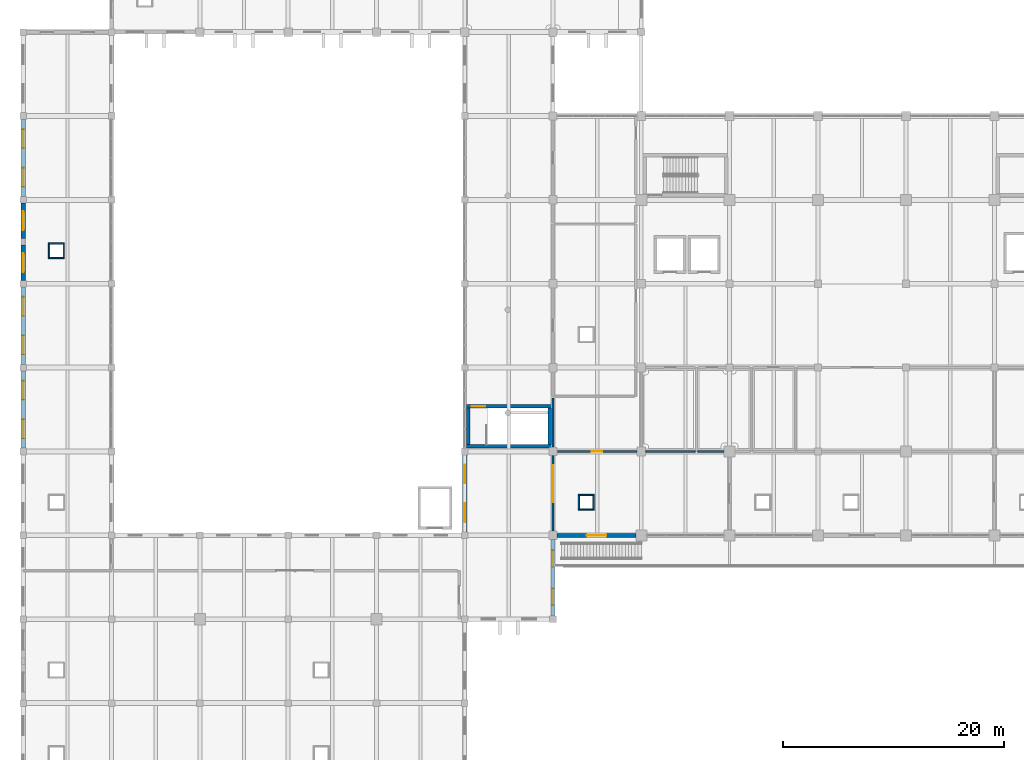
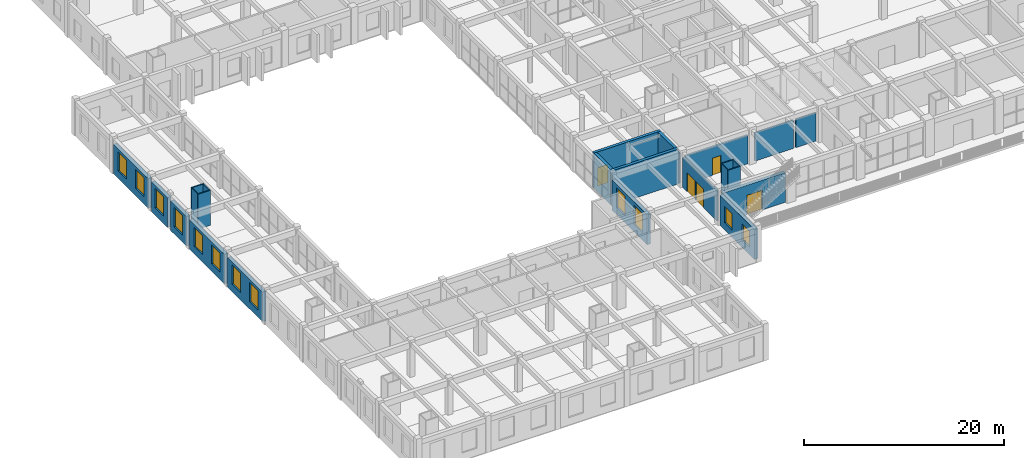
# One storey, part 53 of 79: 25 walls, 12 windows, 5 doors, 17 openings.
"""IFC4 building model written with IfcOpenShell, lengths in metres."""

from ifc_helpers import new_model, si_unit, direction, frame, frame_2d, origin, place, context, subcontext, project, spatial, rectangle, extrude, material, layer, layer_set, type_object, element, fill, save


model = new_model("IFC4")

# Units and contexts
model_context = context("Model", 3, precision=1e-05, world=origin(), true_north=direction((0.0, 1.0)))
body_context = subcontext(model_context, "Body", "Model", "MODEL_VIEW")
ifc_project = project(units=[si_unit("LENGTHUNIT", "METRE"), si_unit("AREAUNIT", "SQUARE_METRE"), si_unit("VOLUMEUNIT", "CUBIC_METRE"), si_unit("PLANEANGLEUNIT", "RADIAN"), si_unit("MASSUNIT", "GRAM", prefix="KILO")], contexts=[model_context])

# Site, building, storey
site_placement = place(None, origin())
site = spatial("IfcSite", under=ifc_project, at=site_placement, CompositionType="ELEMENT")
building_placement = place(site_placement, origin())
building = spatial("IfcBuilding", under=site, at=building_placement, Name="Zantavel Square City Hall", CompositionType="ELEMENT")
storey_placement = place(building_placement, frame((0.0, 0.0, 10.199951171875)))
storey = spatial("IfcBuildingStorey", under=building, at=storey_placement, Name="L03", CompositionType="ELEMENT", Elevation=10.199951171875)

# Wall, openings, windows
ifc_material_1 = material(Name="Cantera volcanic tuff stone", Category="masonry")
ifc_layer_1 = layer(ifc_material_1, 0.39990234375, Name="Cantera volcanic tuff stone")
ifc_layer_set_1 = layer_set([ifc_layer_1], Name="Cantera volcanic tuff stone")
wall_type_1 = type_object("IfcWallType", Name="Civic Pavilion Cantera Ashlar Wall 400mm", PredefinedType="STANDARD", material=ifc_layer_set_1)
wall_1_placement = place(storey_placement, frame((56.0, 30.02490234375, 0.0), z_axis=(0.0, 0.0, 1.0), x_axis=(0.0, -1.0, 0.0)))
wall_1 = element("IfcWall", 1, at=wall_1_placement, inside=storey, type_object=wall_type_1, Name="L03 Exterior Wall EW-L03-042", PredefinedType="STANDARD", context=body_context, shape_type="SweptSolid", body=[
    extrude(rectangle(XDim=6.9248046875, YDim=0.39990234375, at=frame_2d((3.46240234375, 0.0))), origin(), (0.0, 0.0, 1.0), 3.670166015625),
])
opening_1_placement = place(wall_1_placement, frame((0.981201171875, 0.0, 0.89990234375)))
opening_1 = element("IfcOpeningElement", 2, at=opening_1_placement, cuts=wall_1, Name="Opening W-324", PredefinedType="OPENING", context=body_context, shape_type="SweptSolid", body=[
    extrude(rectangle(XDim=1.5, YDim=2.0, at=frame_2d((0.75, 1.0))), frame((0.0, 0.2099609375, 0.0), z_axis=(0.0, -1.0, 0.0), x_axis=(1.0, 0.0, 0.0)), (0.0, 0.0, 1.0), 0.419921875),
])
opening_2_placement = place(wall_1_placement, frame((4.443603515625, 0.0, 0.89990234375)))
opening_2 = element("IfcOpeningElement", 3, at=opening_2_placement, cuts=wall_1, Name="Opening W-325", PredefinedType="OPENING", context=body_context, shape_type="SweptSolid", body=[
    extrude(rectangle(XDim=1.5, YDim=2.0, at=frame_2d((0.75, 1.0))), frame((0.0, 0.2099609375, 0.0), z_axis=(0.0, -1.0, 0.0), x_axis=(1.0, 0.0, 0.0)), (0.0, 0.0, 1.0), 0.419921875),
])
ifc_material_2 = material(Name="Tempered safety glass low-E double glazing", Category="glass")
window_type_1 = type_object("IfcWindowType", Name="Window Planning Studio 1500x2000", PartitioningType="DOUBLE_PANEL_VERTICAL", PredefinedType="WINDOW", material=ifc_material_2)
window_1_placement = place(opening_1_placement, origin())
window_1 = element("IfcWindow", 4, at=window_1_placement, inside=storey, type_object=window_type_1, Name="L03 Window W-324", OverallHeight=2.0, OverallWidth=1.5, PartitioningType="DOUBLE_PANEL_VERTICAL", PredefinedType="WINDOW", context=body_context, shape_type="SweptSolid", body=[
    extrude(rectangle(XDim=1.5, YDim=2.0, at=frame_2d((0.75, 1.0))), frame((0.0, 0.030029296875, 0.0), z_axis=(0.0, -1.0, 0.0), x_axis=(1.0, 0.0, 0.0)), (0.0, 0.0, 1.0), 0.06005859375),
])
fill(opening_1, window_1)
window_2_placement = place(opening_2_placement, origin())
window_2 = element("IfcWindow", 5, at=window_2_placement, inside=storey, type_object=window_type_1, Name="L03 Window W-325", OverallHeight=2.0, OverallWidth=1.5, PartitioningType="DOUBLE_PANEL_VERTICAL", PredefinedType="WINDOW", context=body_context, shape_type="SweptSolid", body=[
    extrude(rectangle(XDim=1.5, YDim=2.0, at=frame_2d((0.75, 1.0))), frame((0.0, 0.030029296875, 0.0), z_axis=(0.0, -1.0, 0.0), x_axis=(1.0, 0.0, 0.0)), (0.0, 0.0, 1.0), 0.06005859375),
])
fill(opening_2, window_2)

wall_2_placement = place(storey_placement, frame((8.0, 38.300048828125, 0.0), z_axis=(0.0, 0.0, 1.0), x_axis=(0.0, 1.0, 0.0)))
wall_2 = element("IfcWall", 6, at=wall_2_placement, inside=storey, type_object=wall_type_1, Name="L03 Exterior Wall EW-L03-056", PredefinedType="STANDARD", context=body_context, shape_type="SweptSolid", body=[
    extrude(rectangle(XDim=7.0, YDim=0.39990234375, at=frame_2d((3.5, 0.0))), origin(), (0.0, 0.0, 1.0), 3.6201171875),
])
opening_3_placement = place(wall_2_placement, frame((0.89990234375, 0.0, 0.89990234375)))
opening_3 = element("IfcOpeningElement", 7, at=opening_3_placement, cuts=wall_2, Name="Opening W-350", PredefinedType="OPENING", context=body_context, shape_type="SweptSolid", body=[
    extrude(rectangle(XDim=1.699951171875, YDim=2.35009765625, at=frame_2d((0.85009765625, 1.175048828125))), frame((0.0, 0.2099609375, 0.0), z_axis=(0.0, -1.0, 0.0), x_axis=(1.0, 0.0, 0.0)), (0.0, 0.0, 1.0), 0.419921875),
])
opening_4_placement = place(wall_2_placement, frame((4.39990234375, 0.0, 0.89990234375)))
opening_4 = element("IfcOpeningElement", 8, at=opening_4_placement, cuts=wall_2, Name="Opening W-351", PredefinedType="OPENING", context=body_context, shape_type="SweptSolid", body=[
    extrude(rectangle(XDim=1.699951171875, YDim=2.35009765625, at=frame_2d((0.85009765625, 1.175048828125))), frame((0.0, 0.2099609375, 0.0), z_axis=(0.0, -1.0, 0.0), x_axis=(1.0, 0.0, 0.0)), (0.0, 0.0, 1.0), 0.419921875),
])
window_type_2 = type_object("IfcWindowType", Name="Window Library Reading Tall 1700x2350", PartitioningType="DOUBLE_PANEL_VERTICAL", PredefinedType="WINDOW", material=ifc_material_2)
window_3_placement = place(opening_3_placement, origin())
window_3 = element("IfcWindow", 9, at=window_3_placement, inside=storey, type_object=window_type_2, Name="L03 Window W-350", OverallHeight=2.35009765625, OverallWidth=1.699951171875, PartitioningType="DOUBLE_PANEL_VERTICAL", PredefinedType="WINDOW", context=body_context, shape_type="SweptSolid", body=[
    extrude(rectangle(XDim=1.699951171875, YDim=2.35009765625, at=frame_2d((0.85009765625, 1.175048828125))), frame((0.0, 0.030029296875, 0.0), z_axis=(0.0, -1.0, 0.0), x_axis=(1.0, 0.0, 0.0)), (0.0, 0.0, 1.0), 0.06005859375),
])
fill(opening_3, window_3)
window_4_placement = place(opening_4_placement, origin())
window_4 = element("IfcWindow", 10, at=window_4_placement, inside=storey, type_object=window_type_2, Name="L03 Window W-351", OverallHeight=2.35009765625, OverallWidth=1.699951171875, PartitioningType="DOUBLE_PANEL_VERTICAL", PredefinedType="WINDOW", context=body_context, shape_type="SweptSolid", body=[
    extrude(rectangle(XDim=1.699951171875, YDim=2.35009765625, at=frame_2d((0.85009765625, 1.175048828125))), frame((0.0, 0.030029296875, 0.0), z_axis=(0.0, -1.0, 0.0), x_axis=(1.0, 0.0, 0.0)), (0.0, 0.0, 1.0), 0.06005859375),
])
fill(opening_4, window_4)

wall_3_placement = place(storey_placement, frame((8.0, 45.89990234375, 0.0), z_axis=(0.0, 0.0, 1.0), x_axis=(0.0, 1.0, 0.0)))
wall_3 = element("IfcWall", 11, at=wall_3_placement, inside=storey, type_object=wall_type_1, Name="L03 Exterior Wall EW-L03-057", PredefinedType="STANDARD", context=body_context, shape_type="SweptSolid", body=[
    extrude(rectangle(XDim=7.0, YDim=0.39990234375, at=frame_2d((3.5, 0.0))), origin(), (0.0, 0.0, 1.0), 3.6201171875),
])
opening_5_placement = place(wall_3_placement, frame((0.89990234375, 0.0, 0.89990234375)))
opening_5 = element("IfcOpeningElement", 12, at=opening_5_placement, cuts=wall_3, Name="Opening W-352", PredefinedType="OPENING", context=body_context, shape_type="SweptSolid", body=[
    extrude(rectangle(XDim=1.699951171875, YDim=2.35009765625, at=frame_2d((0.85009765625, 1.175048828125))), frame((0.0, 0.2099609375, 0.0), z_axis=(0.0, -1.0, 0.0), x_axis=(1.0, 0.0, 0.0)), (0.0, 0.0, 1.0), 0.419921875),
])
opening_6_placement = place(wall_3_placement, frame((4.39990234375, 0.0, 0.89990234375)))
opening_6 = element("IfcOpeningElement", 13, at=opening_6_placement, cuts=wall_3, Name="Opening W-353", PredefinedType="OPENING", context=body_context, shape_type="SweptSolid", body=[
    extrude(rectangle(XDim=1.699951171875, YDim=2.35009765625, at=frame_2d((0.85009765625, 1.175048828125))), frame((0.0, 0.2099609375, 0.0), z_axis=(0.0, -1.0, 0.0), x_axis=(1.0, 0.0, 0.0)), (0.0, 0.0, 1.0), 0.419921875),
])
window_5_placement = place(opening_5_placement, origin())
window_5 = element("IfcWindow", 14, at=window_5_placement, inside=storey, type_object=window_type_2, Name="L03 Window W-352", OverallHeight=2.35009765625, OverallWidth=1.699951171875, PartitioningType="DOUBLE_PANEL_VERTICAL", PredefinedType="WINDOW", context=body_context, shape_type="SweptSolid", body=[
    extrude(rectangle(XDim=1.699951171875, YDim=2.35009765625, at=frame_2d((0.85009765625, 1.175048828125))), frame((0.0, 0.030029296875, 0.0), z_axis=(0.0, -1.0, 0.0), x_axis=(1.0, 0.0, 0.0)), (0.0, 0.0, 1.0), 0.06005859375),
])
fill(opening_5, window_5)
window_6_placement = place(opening_6_placement, origin())
window_6 = element("IfcWindow", 15, at=window_6_placement, inside=storey, type_object=window_type_2, Name="L03 Window W-353", OverallHeight=2.35009765625, OverallWidth=1.699951171875, PartitioningType="DOUBLE_PANEL_VERTICAL", PredefinedType="WINDOW", context=body_context, shape_type="SweptSolid", body=[
    extrude(rectangle(XDim=1.699951171875, YDim=2.35009765625, at=frame_2d((0.85009765625, 1.175048828125))), frame((0.0, 0.030029296875, 0.0), z_axis=(0.0, -1.0, 0.0), x_axis=(1.0, 0.0, 0.0)), (0.0, 0.0, 1.0), 0.06005859375),
])
fill(opening_6, window_6)

# Wall, opening, window
wall_4_placement = place(storey_placement, frame((8.0, 53.5, 0.0), z_axis=(0.0, 0.0, 1.0), x_axis=(0.0, 1.0, 0.0)))
wall_4 = element("IfcWall", 16, at=wall_4_placement, inside=storey, type_object=wall_type_1, Name="L03 Exterior Wall EW-L03-058", PredefinedType="STANDARD", context=body_context, shape_type="SweptSolid", body=[
    extrude(rectangle(XDim=3.199951171875, YDim=0.39990234375, at=frame_2d((1.60009765625, 0.0))), origin(), (0.0, 0.0, 1.0), 3.6201171875),
])
opening_7_placement = place(wall_4_placement, frame((0.75, 0.0, 0.89990234375)))
opening_7 = element("IfcOpeningElement", 17, at=opening_7_placement, cuts=wall_4, Name="Opening W-354", PredefinedType="OPENING", context=body_context, shape_type="SweptSolid", body=[
    extrude(rectangle(XDim=1.699951171875, YDim=2.35009765625, at=frame_2d((0.85009765625, 1.175048828125))), frame((0.0, 0.2099609375, 0.0), z_axis=(0.0, -1.0, 0.0), x_axis=(1.0, 0.0, 0.0)), (0.0, 0.0, 1.0), 0.419921875),
])
window_7_placement = place(opening_7_placement, origin())
window_7 = element("IfcWindow", 18, at=window_7_placement, inside=storey, type_object=window_type_2, Name="L03 Window W-354", OverallHeight=2.35009765625, OverallWidth=1.699951171875, PartitioningType="DOUBLE_PANEL_VERTICAL", PredefinedType="WINDOW", context=body_context, shape_type="SweptSolid", body=[
    extrude(rectangle(XDim=1.699951171875, YDim=2.35009765625, at=frame_2d((0.85009765625, 1.175048828125))), frame((0.0, 0.030029296875, 0.0), z_axis=(0.0, -1.0, 0.0), x_axis=(1.0, 0.0, 0.0)), (0.0, 0.0, 1.0), 0.06005859375),
])
fill(opening_7, window_7)

wall_5_placement = place(storey_placement, frame((8.0, 57.300048828125, 0.0), z_axis=(0.0, 0.0, 1.0), x_axis=(0.0, 1.0, 0.0)))
wall_5 = element("IfcWall", 19, at=wall_5_placement, inside=storey, type_object=wall_type_1, Name="L03 Exterior Wall EW-L03-059", PredefinedType="STANDARD", context=body_context, shape_type="SweptSolid", body=[
    extrude(rectangle(XDim=3.199951171875, YDim=0.39990234375, at=frame_2d((1.60009765625, 0.0))), origin(), (0.0, 0.0, 1.0), 3.6201171875),
])
opening_8_placement = place(wall_5_placement, frame((0.75, 0.0, 0.89990234375)))
opening_8 = element("IfcOpeningElement", 20, at=opening_8_placement, cuts=wall_5, Name="Opening W-355", PredefinedType="OPENING", context=body_context, shape_type="SweptSolid", body=[
    extrude(rectangle(XDim=1.699951171875, YDim=2.35009765625, at=frame_2d((0.85009765625, 1.175048828125))), frame((0.0, 0.2099609375, 0.0), z_axis=(0.0, -1.0, 0.0), x_axis=(1.0, 0.0, 0.0)), (0.0, 0.0, 1.0), 0.419921875),
])
window_8_placement = place(opening_8_placement, origin())
window_8 = element("IfcWindow", 21, at=window_8_placement, inside=storey, type_object=window_type_2, Name="L03 Window W-355", OverallHeight=2.35009765625, OverallWidth=1.699951171875, PartitioningType="DOUBLE_PANEL_VERTICAL", PredefinedType="WINDOW", context=body_context, shape_type="SweptSolid", body=[
    extrude(rectangle(XDim=1.699951171875, YDim=2.35009765625, at=frame_2d((0.85009765625, 1.175048828125))), frame((0.0, 0.030029296875, 0.0), z_axis=(0.0, -1.0, 0.0), x_axis=(1.0, 0.0, 0.0)), (0.0, 0.0, 1.0), 0.06005859375),
])
fill(opening_8, window_8)

# Wall, openings, windows
wall_6_placement = place(storey_placement, frame((8.0, 61.10009765625, 0.0), z_axis=(0.0, 0.0, 1.0), x_axis=(0.0, 1.0, 0.0)))
wall_6 = element("IfcWall", 22, at=wall_6_placement, inside=storey, type_object=wall_type_1, Name="L03 Exterior Wall EW-L03-060", PredefinedType="STANDARD", context=body_context, shape_type="SweptSolid", body=[
    extrude(rectangle(XDim=7.0, YDim=0.39990234375, at=frame_2d((3.5, 0.0))), origin(), (0.0, 0.0, 1.0), 3.6201171875),
])
opening_9_placement = place(wall_6_placement, frame((0.89990234375, 0.0, 0.89990234375)))
opening_9 = element("IfcOpeningElement", 23, at=opening_9_placement, cuts=wall_6, Name="Opening W-356", PredefinedType="OPENING", context=body_context, shape_type="SweptSolid", body=[
    extrude(rectangle(XDim=1.699951171875, YDim=2.35009765625, at=frame_2d((0.85009765625, 1.175048828125))), frame((0.0, 0.2099609375, 0.0), z_axis=(0.0, -1.0, 0.0), x_axis=(1.0, 0.0, 0.0)), (0.0, 0.0, 1.0), 0.419921875),
])
opening_10_placement = place(wall_6_placement, frame((4.39990234375, 0.0, 0.89990234375)))
opening_10 = element("IfcOpeningElement", 24, at=opening_10_placement, cuts=wall_6, Name="Opening W-357", PredefinedType="OPENING", context=body_context, shape_type="SweptSolid", body=[
    extrude(rectangle(XDim=1.699951171875, YDim=2.35009765625, at=frame_2d((0.85009765625, 1.175048828125))), frame((0.0, 0.2099609375, 0.0), z_axis=(0.0, -1.0, 0.0), x_axis=(1.0, 0.0, 0.0)), (0.0, 0.0, 1.0), 0.419921875),
])
window_9_placement = place(opening_9_placement, origin())
window_9 = element("IfcWindow", 25, at=window_9_placement, inside=storey, type_object=window_type_2, Name="L03 Window W-356", OverallHeight=2.35009765625, OverallWidth=1.699951171875, PartitioningType="DOUBLE_PANEL_VERTICAL", PredefinedType="WINDOW", context=body_context, shape_type="SweptSolid", body=[
    extrude(rectangle(XDim=1.699951171875, YDim=2.35009765625, at=frame_2d((0.85009765625, 1.175048828125))), frame((0.0, 0.030029296875, 0.0), z_axis=(0.0, -1.0, 0.0), x_axis=(1.0, 0.0, 0.0)), (0.0, 0.0, 1.0), 0.06005859375),
])
fill(opening_9, window_9)
window_10_placement = place(opening_10_placement, origin())
window_10 = element("IfcWindow", 26, at=window_10_placement, inside=storey, type_object=window_type_2, Name="L03 Window W-357", OverallHeight=2.35009765625, OverallWidth=1.699951171875, PartitioningType="DOUBLE_PANEL_VERTICAL", PredefinedType="WINDOW", context=body_context, shape_type="SweptSolid", body=[
    extrude(rectangle(XDim=1.699951171875, YDim=2.35009765625, at=frame_2d((0.85009765625, 1.175048828125))), frame((0.0, 0.030029296875, 0.0), z_axis=(0.0, -1.0, 0.0), x_axis=(1.0, 0.0, 0.0)), (0.0, 0.0, 1.0), 0.06005859375),
])
fill(opening_10, window_10)

wall_7_placement = place(storey_placement, frame((48.0, 30.699951171875, 0.0), z_axis=(0.0, 0.0, 1.0), x_axis=(0.0, 1.0, 0.0)))
wall_7 = element("IfcWall", 27, at=wall_7_placement, inside=storey, type_object=wall_type_1, Name="L03 Exterior Wall EW-L03-069", PredefinedType="STANDARD", context=body_context, shape_type="SweptSolid", body=[
    extrude(rectangle(XDim=7.0, YDim=0.39990234375, at=frame_2d((3.5, 0.0))), origin(), (0.0, 0.0, 1.0), 3.670166015625),
])
opening_11_placement = place(wall_7_placement, frame((0.89990234375, 0.0, 0.89990234375)))
opening_11 = element("IfcOpeningElement", 28, at=opening_11_placement, cuts=wall_7, Name="Opening W-370", PredefinedType="OPENING", context=body_context, shape_type="SweptSolid", body=[
    extrude(rectangle(XDim=1.699951171875, YDim=2.35009765625, at=frame_2d((0.85009765625, 1.175048828125))), frame((0.0, 0.2099609375, 0.0), z_axis=(0.0, -1.0, 0.0), x_axis=(1.0, 0.0, 0.0)), (0.0, 0.0, 1.0), 0.419921875),
])
opening_12_placement = place(wall_7_placement, frame((4.39990234375, 0.0, 0.89990234375)))
opening_12 = element("IfcOpeningElement", 29, at=opening_12_placement, cuts=wall_7, Name="Opening W-371", PredefinedType="OPENING", context=body_context, shape_type="SweptSolid", body=[
    extrude(rectangle(XDim=1.699951171875, YDim=2.35009765625, at=frame_2d((0.85009765625, 1.175048828125))), frame((0.0, 0.2099609375, 0.0), z_axis=(0.0, -1.0, 0.0), x_axis=(1.0, 0.0, 0.0)), (0.0, 0.0, 1.0), 0.419921875),
])
window_11_placement = place(opening_11_placement, origin())
window_11 = element("IfcWindow", 30, at=window_11_placement, inside=storey, type_object=window_type_2, Name="L03 Window W-370", OverallHeight=2.35009765625, OverallWidth=1.699951171875, PartitioningType="DOUBLE_PANEL_VERTICAL", PredefinedType="WINDOW", context=body_context, shape_type="SweptSolid", body=[
    extrude(rectangle(XDim=1.699951171875, YDim=2.35009765625, at=frame_2d((0.85009765625, 1.175048828125))), frame((0.0, 0.030029296875, 0.0), z_axis=(0.0, -1.0, 0.0), x_axis=(1.0, 0.0, 0.0)), (0.0, 0.0, 1.0), 0.06005859375),
])
fill(opening_11, window_11)
window_12_placement = place(opening_12_placement, origin())
window_12 = element("IfcWindow", 31, at=window_12_placement, inside=storey, type_object=window_type_2, Name="L03 Window W-371", OverallHeight=2.35009765625, OverallWidth=1.699951171875, PartitioningType="DOUBLE_PANEL_VERTICAL", PredefinedType="WINDOW", context=body_context, shape_type="SweptSolid", body=[
    extrude(rectangle(XDim=1.699951171875, YDim=2.35009765625, at=frame_2d((0.85009765625, 1.175048828125))), frame((0.0, 0.030029296875, 0.0), z_axis=(0.0, -1.0, 0.0), x_axis=(1.0, 0.0, 0.0)), (0.0, 0.0, 1.0), 0.06005859375),
])
fill(opening_12, window_12)

# Walls
ifc_material_3 = material(Name="Concrete C40/50", Category="concrete")
ifc_layer_2 = layer(ifc_material_3, 0.320068359375, Name="Concrete C40/50")
ifc_layer_set_2 = layer_set([ifc_layer_2], Name="Concrete C40/50")
wall_type_2 = type_object("IfcWallType", Name="Core Shear Wall RC 320mm C40/50", PredefinedType="SHEAR", material=ifc_layer_set_2)
wall_8_placement = place(storey_placement, frame((55.85009765625, 38.489990234375, 0.0), z_axis=(0.0, 0.0, 1.0), x_axis=(-1.0, 0.0, 0.0)))
element("IfcWall", 32, at=wall_8_placement, inside=storey, type_object=wall_type_2, Name="L03 Exit Stair 3 West Pavilion Core Shear Wall South", PredefinedType="SHEAR", context=body_context, shape_type="SweptSolid", body=[
    extrude(rectangle(XDim=7.7001953125, YDim=0.320068359375, at=frame_2d((3.85009765625, 0.0))), origin(), (0.0, 0.0, 1.0), 4.260009765625),
])
wall_9_placement = place(storey_placement, frame((48.31005859375, 38.64990234375, 0.0), z_axis=(0.0, 0.0, 1.0), x_axis=(0.0, 1.0, 0.0)))
element("IfcWall", 33, at=wall_9_placement, inside=storey, type_object=wall_type_2, Name="L03 Exit Stair 3 West Pavilion Core Shear Wall West", PredefinedType="SHEAR", context=body_context, shape_type="SweptSolid", body=[
    extrude(rectangle(XDim=3.27001953125, YDim=0.320068359375, at=frame_2d((1.635009765625, 0.0))), origin(), (0.0, 0.0, 1.0), 4.260009765625),
])

# Wall, opening, door
wall_10_placement = place(storey_placement, frame((48.14990234375, 42.080078125, 0.0), z_axis=(0.0, 0.0, 1.0), x_axis=(1.0, 0.0, 0.0)))
wall_10 = element("IfcWall", 34, at=wall_10_placement, inside=storey, type_object=wall_type_2, Name="L03 Exit Stair 3 West Pavilion Core Shear Wall North", PredefinedType="SHEAR", context=body_context, shape_type="SweptSolid", body=[
    extrude(rectangle(XDim=7.7001953125, YDim=0.320068359375, at=frame_2d((3.85009765625, 0.0))), origin(), (0.0, 0.0, 1.0), 4.260009765625),
])
opening_13_placement = place(wall_10_placement, frame((0.5, 0.0, 0.0)))
opening_13 = element("IfcOpeningElement", 35, at=opening_13_placement, cuts=wall_10, Name="Opening SD-015", PredefinedType="OPENING", context=body_context, shape_type="SweptSolid", body=[
    extrude(rectangle(XDim=1.199951171875, YDim=2.199951171875, at=frame_2d((0.60009765625, 1.10009765625))), frame((0.0, 0.169921875, 0.0), z_axis=(0.0, -1.0, 0.0), x_axis=(1.0, 0.0, 0.0)), (0.0, 0.0, 1.0), 0.340087890625),
])
ifc_material_4 = material(Name="Steel ASTM A500 Grade B", Category="steel")
door_type_1 = type_object("IfcDoorType", Name="Enclosed Exit Stairwell Fire Door 1200x2200 FD90S", OperationType="NOTDEFINED", PredefinedType="DOOR", material=ifc_material_4)
door_1_placement = place(opening_13_placement, origin())
door_1 = element("IfcDoor", 36, at=door_1_placement, inside=storey, type_object=door_type_1, Name="L03 Exit Stair 3 West Pavilion Core Fire Door", OperationType="SINGLE_SWING_LEFT", OverallHeight=2.199951171875, OverallWidth=1.199951171875, PredefinedType="DOOR", context=body_context, shape_type="SweptSolid", body=[
    extrude(rectangle(XDim=1.199951171875, YDim=2.199951171875, at=frame_2d((0.60009765625, 1.10009765625))), frame((0.0, 0.02490234375, 0.0), z_axis=(0.0, -1.0, 0.0), x_axis=(1.0, 0.0, 0.0)), (0.0, 0.0, 1.0), 0.050048828125),
])
fill(opening_13, door_1)

# Wall
wall_11_placement = place(storey_placement, frame((55.68994140625, 41.919921875, 0.0), z_axis=(0.0, 0.0, 1.0), x_axis=(0.0, -1.0, 0.0)))
element("IfcWall", 37, at=wall_11_placement, inside=storey, type_object=wall_type_2, Name="L03 Exit Stair 3 West Pavilion Core Shear Wall East", PredefinedType="SHEAR", context=body_context, shape_type="SweptSolid", body=[
    extrude(rectangle(XDim=3.27001953125, YDim=0.320068359375, at=frame_2d((1.635009765625, 0.0))), origin(), (0.0, 0.0, 1.0), 4.260009765625),
])

# Wall, opening, door
ifc_layer_3 = layer(ifc_material_1, 0.219970703125, Name="Cantera volcanic tuff stone")
ifc_layer_set_3 = layer_set([ifc_layer_3], Name="Cantera volcanic tuff stone")
wall_type_3 = type_object("IfcWallType", Name="Executive Acoustic Stone Partition 220mm", PredefinedType="PARTITIONING", material=ifc_layer_set_3)
wall_12_placement = place(storey_placement, frame((56.385009765625, 38.0, 0.0), z_axis=(0.0, 0.0, 1.0), x_axis=(1.0, 0.0, 0.0)))
wall_12 = element("IfcWall", 38, at=wall_12_placement, inside=storey, type_object=wall_type_3, Name="L03 Interior Wall IW-L03-0258", PredefinedType="PARTITIONING", context=body_context, shape_type="SweptSolid", body=[
    extrude(rectangle(XDim=7.205078125, YDim=0.219970703125, at=frame_2d((3.6025390625, 0.0))), origin(), (0.0, 0.0, 1.0), 3.469970703125),
])
opening_14_placement = place(wall_12_placement, frame((3.12744140625, 0.0, 0.0)))
opening_14 = element("IfcOpeningElement", 39, at=opening_14_placement, cuts=wall_12, Name="Opening D-0136", PredefinedType="OPENING", context=body_context, shape_type="SweptSolid", body=[
    extrude(rectangle(XDim=0.949951171875, YDim=2.10009765625, at=frame_2d((0.47509765625, 1.050048828125))), frame((0.0, 0.119873046875, 0.0), z_axis=(0.0, -1.0, 0.0), x_axis=(1.0, 0.0, 0.0)), (0.0, 0.0, 1.0), 0.239990234375),
])
ifc_material_5 = material(Name="Solid oak hardwood", Category="wood")
door_type_2 = type_object("IfcDoorType", Name="Office Internal Oak Single Door 950x2100", OperationType="NOTDEFINED", PredefinedType="DOOR", material=ifc_material_5)
door_2_placement = place(opening_14_placement, origin())
door_2 = element("IfcDoor", 40, at=door_2_placement, inside=storey, type_object=door_type_2, Name="L03 L03 Municipal Support Office 2 Door", OperationType="SINGLE_SWING_RIGHT", OverallHeight=2.10009765625, OverallWidth=0.949951171875, PredefinedType="DOOR", context=body_context, shape_type="SweptSolid", body=[
    extrude(rectangle(XDim=0.949951171875, YDim=2.10009765625, at=frame_2d((0.47509765625, 1.050048828125))), frame((0.0, 0.02490234375, 0.0), z_axis=(0.0, -1.0, 0.0), x_axis=(1.0, 0.0, 0.0)), (0.0, 0.0, 1.0), 0.050048828125),
])
fill(opening_14, door_2)

# Wall, openings, doors
ifc_layer_4 = layer(ifc_material_1, 0.199951171875, Name="Cantera volcanic tuff stone")
ifc_layer_set_4 = layer_set([ifc_layer_4], Name="Cantera volcanic tuff stone")
wall_type_4 = type_object("IfcWallType", Name="Exit Corridor Rated Wall 200mm", PredefinedType="STANDARD", material=ifc_layer_set_4)
wall_13_placement = place(storey_placement, frame((56.0, 30.784912109375, 0.0), z_axis=(0.0, 0.0, 1.0), x_axis=(0.0, 1.0, 0.0)))
wall_13 = element("IfcWall", 41, at=wall_13_placement, inside=storey, type_object=wall_type_4, Name="L03 Interior Wall IW-L03-0257", PredefinedType="STANDARD", context=body_context, shape_type="SweptSolid", body=[
    extrude(rectangle(XDim=6.830078125, YDim=0.199951171875, at=frame_2d((3.4150390625, 0.0))), origin(), (0.0, 0.0, 1.0), 3.670166015625),
])
opening_15_placement = place(wall_13_placement, frame((2.614990234375, 0.0, 0.0)))
opening_15 = element("IfcOpeningElement", 42, at=opening_15_placement, cuts=wall_13, Name="Opening D-0119", PredefinedType="OPENING", context=body_context, shape_type="SweptSolid", body=[
    extrude(rectangle(XDim=1.60009765625, YDim=2.300048828125, at=frame_2d((0.800048828125, 1.14990234375))), frame((0.0, 0.10986328125, 0.0), z_axis=(0.0, -1.0, 0.0), x_axis=(1.0, 0.0, 0.0)), (0.0, 0.0, 1.0), 0.219970703125),
])
opening_16_placement = place(wall_13_placement, frame((4.364990234375, 0.0, 0.0)))
opening_16 = element("IfcOpeningElement", 43, at=opening_16_placement, cuts=wall_13, Name="Opening D-0135", PredefinedType="OPENING", context=body_context, shape_type="SweptSolid", body=[
    extrude(rectangle(XDim=1.60009765625, YDim=2.300048828125, at=frame_2d((0.800048828125, 1.14990234375))), frame((0.0, 0.10986328125, 0.0), z_axis=(0.0, -1.0, 0.0), x_axis=(1.0, 0.0, 0.0)), (0.0, 0.0, 1.0), 0.219970703125),
])
door_type_3 = type_object("IfcDoorType", Name="Committee Suite Fire Double Door 1600x2300 FD60S", OperationType="NOTDEFINED", PredefinedType="DOOR", material=ifc_material_5)
door_3_placement = place(opening_15_placement, origin())
door_3 = element("IfcDoor", 44, at=door_3_placement, inside=storey, type_object=door_type_3, Name="L03 First Syndic Suite Door", OperationType="DOUBLE_DOOR_SINGLE_SWING", OverallHeight=2.300048828125, OverallWidth=1.60009765625, PredefinedType="DOOR", context=body_context, shape_type="SweptSolid", body=[
    extrude(rectangle(XDim=1.60009765625, YDim=2.300048828125, at=frame_2d((0.800048828125, 1.14990234375))), frame((0.0, 0.02490234375, 0.0), z_axis=(0.0, -1.0, 0.0), x_axis=(1.0, 0.0, 0.0)), (0.0, 0.0, 1.0), 0.050048828125),
])
fill(opening_15, door_3)
door_4_placement = place(opening_16_placement, origin())
door_4 = element("IfcDoor", 45, at=door_4_placement, inside=storey, type_object=door_type_3, Name="L03 First Syndic Suite Door", OperationType="DOUBLE_DOOR_SINGLE_SWING", OverallHeight=2.300048828125, OverallWidth=1.60009765625, PredefinedType="DOOR", context=body_context, shape_type="SweptSolid", body=[
    extrude(rectangle(XDim=1.60009765625, YDim=2.300048828125, at=frame_2d((0.800048828125, 1.14990234375))), frame((0.0, 0.02490234375, 0.0), z_axis=(0.0, -1.0, 0.0), x_axis=(1.0, 0.0, 0.0)), (0.0, 0.0, 1.0), 0.050048828125),
])
fill(opening_16, door_4)

# Walls
wall_14_placement = place(storey_placement, frame((56.0, 42.85009765625, 0.0), z_axis=(0.0, 0.0, 1.0), x_axis=(0.0, -1.0, 0.0)))
element("IfcWall", 46, at=wall_14_placement, inside=storey, type_object=wall_type_4, Name="L03 Interior Wall IW-L03-0295", PredefinedType="STANDARD", context=body_context, shape_type="SweptSolid", body=[
    extrude(rectangle(XDim=4.465087890625, YDim=0.199951171875, at=frame_2d((2.232421875, 0.0))), origin(), (0.0, 0.0, 1.0), 3.670166015625),
])
ifc_layer_5 = layer(ifc_material_1, 0.159912109375, Name="Cantera volcanic tuff stone")
ifc_layer_set_5 = layer_set([ifc_layer_5], Name="Cantera volcanic tuff stone")
wall_type_5 = type_object("IfcWallType", Name="Restroom Wet-Wall Partition 160mm", PredefinedType="PARTITIONING", material=ifc_layer_set_5)
wall_15_placement = place(storey_placement, frame((68.8701171875, 38.0, 0.0), z_axis=(0.0, 0.0, 1.0), x_axis=(-1.0, 0.0, 0.0)))
element("IfcWall", 47, at=wall_15_placement, inside=storey, type_object=wall_type_5, Name="L03 Interior Wall IW-L03-0241", PredefinedType="PARTITIONING", context=body_context, shape_type="SweptSolid", body=[
    extrude(rectangle(XDim=4.460205078125, YDim=0.159912109375, at=frame_2d((2.22998046875, 0.0))), origin(), (0.0, 0.0, 1.0), 3.469970703125),
])
wall_16_placement = place(storey_placement, frame((71.489990234375, 38.0, 0.0), z_axis=(0.0, 0.0, 1.0), x_axis=(-1.0, 0.0, 0.0)))
element("IfcWall", 48, at=wall_16_placement, inside=storey, type_object=wall_type_5, Name="L03 Interior Wall IW-L03-0246", PredefinedType="PARTITIONING", context=body_context, shape_type="SweptSolid", body=[
    extrude(rectangle(XDim=2.360107421875, YDim=0.159912109375, at=frame_2d((1.18017578125, 0.0))), origin(), (0.0, 0.0, 1.0), 3.469970703125),
])
ifc_material_6 = material(Name="Concrete C35/45", Category="concrete")
ifc_layer_6 = layer(ifc_material_6, 0.1201171875, Name="Concrete C35/45")
ifc_layer_set_6 = layer_set([ifc_layer_6], Name="Concrete C35/45")
wall_type_6 = type_object("IfcWallType", Name="Riser Chase Wall RC 120mm C35/45", PredefinedType="PARTITIONING", material=ifc_layer_set_6)
wall_17_placement = place(storey_placement, frame((59.719970703125, 32.739990234375, 0.0), z_axis=(0.0, 0.0, 1.0), x_axis=(-1.0, 0.0, 0.0)))
element("IfcWall", 49, at=wall_17_placement, inside=storey, type_object=wall_type_6, Name="L03 MEP Riser 01 Wall S", PredefinedType="PARTITIONING", context=body_context, shape_type="SweptSolid", body=[
    extrude(rectangle(XDim=1.43994140625, YDim=0.1201171875, at=frame_2d((0.719970703125, 0.0))), origin(), (0.0, 0.0, 1.0), 4.219970703125),
])
wall_18_placement = place(storey_placement, frame((58.340087890625, 32.800048828125, 0.0), z_axis=(0.0, 0.0, 1.0), x_axis=(0.0, 1.0, 0.0)))
element("IfcWall", 50, at=wall_18_placement, inside=storey, type_object=wall_type_6, Name="L03 MEP Riser 01 Wall W", PredefinedType="PARTITIONING", context=body_context, shape_type="SweptSolid", body=[
    extrude(rectangle(XDim=1.199951171875, YDim=0.1201171875, at=frame_2d((0.60009765625, 0.0))), origin(), (0.0, 0.0, 1.0), 4.219970703125),
])
wall_19_placement = place(storey_placement, frame((58.280029296875, 34.06005859375, 0.0), z_axis=(0.0, 0.0, 1.0), x_axis=(1.0, 0.0, 0.0)))
element("IfcWall", 51, at=wall_19_placement, inside=storey, type_object=wall_type_6, Name="L03 MEP Riser 01 Wall N", PredefinedType="PARTITIONING", context=body_context, shape_type="SweptSolid", body=[
    extrude(rectangle(XDim=1.43994140625, YDim=0.1201171875, at=frame_2d((0.719970703125, 0.0))), origin(), (0.0, 0.0, 1.0), 4.219970703125),
])
wall_20_placement = place(storey_placement, frame((59.659912109375, 34.0, 0.0), z_axis=(0.0, 0.0, 1.0), x_axis=(0.0, -1.0, 0.0)))
element("IfcWall", 52, at=wall_20_placement, inside=storey, type_object=wall_type_6, Name="L03 MEP Riser 01 Wall E", PredefinedType="PARTITIONING", context=body_context, shape_type="SweptSolid", body=[
    extrude(rectangle(XDim=1.199951171875, YDim=0.1201171875, at=frame_2d((0.60009765625, 0.0))), origin(), (0.0, 0.0, 1.0), 4.219970703125),
])
wall_21_placement = place(storey_placement, frame((11.719970703125, 55.5400390625, 0.0), z_axis=(0.0, 0.0, 1.0), x_axis=(-1.0, 0.0, 0.0)))
element("IfcWall", 53, at=wall_21_placement, inside=storey, type_object=wall_type_6, Name="L03 MEP Riser 11 Wall S", PredefinedType="PARTITIONING", context=body_context, shape_type="SweptSolid", body=[
    extrude(rectangle(XDim=1.43994140625, YDim=0.1201171875, at=frame_2d((0.719970703125, 0.0))), origin(), (0.0, 0.0, 1.0), 4.260009765625),
])
wall_22_placement = place(storey_placement, frame((10.340087890625, 55.60009765625, 0.0), z_axis=(0.0, 0.0, 1.0), x_axis=(0.0, 1.0, 0.0)))
element("IfcWall", 54, at=wall_22_placement, inside=storey, type_object=wall_type_6, Name="L03 MEP Riser 11 Wall W", PredefinedType="PARTITIONING", context=body_context, shape_type="SweptSolid", body=[
    extrude(rectangle(XDim=1.199951171875, YDim=0.1201171875, at=frame_2d((0.60009765625, 0.0))), origin(), (0.0, 0.0, 1.0), 4.260009765625),
])
wall_23_placement = place(storey_placement, frame((10.280029296875, 56.860107421875, 0.0), z_axis=(0.0, 0.0, 1.0), x_axis=(1.0, 0.0, 0.0)))
element("IfcWall", 55, at=wall_23_placement, inside=storey, type_object=wall_type_6, Name="L03 MEP Riser 11 Wall N", PredefinedType="PARTITIONING", context=body_context, shape_type="SweptSolid", body=[
    extrude(rectangle(XDim=1.43994140625, YDim=0.1201171875, at=frame_2d((0.719970703125, 0.0))), origin(), (0.0, 0.0, 1.0), 4.260009765625),
])
wall_24_placement = place(storey_placement, frame((11.659912109375, 56.800048828125, 0.0), z_axis=(0.0, 0.0, 1.0), x_axis=(0.0, -1.0, 0.0)))
element("IfcWall", 56, at=wall_24_placement, inside=storey, type_object=wall_type_6, Name="L03 MEP Riser 11 Wall E", PredefinedType="PARTITIONING", context=body_context, shape_type="SweptSolid", body=[
    extrude(rectangle(XDim=1.199951171875, YDim=0.1201171875, at=frame_2d((0.60009765625, 0.0))), origin(), (0.0, 0.0, 1.0), 4.260009765625),
])

# Wall, opening, door
ifc_material_7 = material(Name="White cantera volcanic tuff stone", Category="masonry")
ifc_layer_7 = layer(ifc_material_7, 0.3798828125, Name="White cantera volcanic tuff stone")
ifc_layer_set_7 = layer_set([ifc_layer_7], Name="White cantera volcanic tuff stone")
wall_type_7 = type_object("IfcWallType", Name="White Cantera Tray Facade Wall 380mm", PredefinedType="STANDARD", material=ifc_layer_set_7)
wall_25_placement = place(storey_placement, frame((63.5, 30.39990234375, 0.0), z_axis=(0.0, 0.0, 1.0), x_axis=(-1.0, 0.0, 0.0)))
wall_25 = element("IfcWall", 57, at=wall_25_placement, inside=storey, type_object=wall_type_7, Name="L03 Exterior Wall EW-L03-041", PredefinedType="STANDARD", context=body_context, shape_type="SweptSolid", body=[
    extrude(rectangle(XDim=7.125, YDim=0.3798828125, at=frame_2d((3.5625, 0.0))), origin(), (0.0, 0.0, 1.0), 3.6201171875),
])
opening_17_placement = place(wall_25_placement, frame((2.66259765625, 0.0, 0.0)))
opening_17 = element("IfcOpeningElement", 58, at=opening_17_placement, cuts=wall_25, Name="Opening ED-025", PredefinedType="OPENING", context=body_context, shape_type="SweptSolid", body=[
    extrude(rectangle(XDim=1.800048828125, YDim=2.39990234375, at=frame_2d((0.89990234375, 1.199951171875))), frame((0.0, 0.199951171875, 0.0), z_axis=(0.0, -1.0, 0.0), x_axis=(1.0, 0.0, 0.0)), (0.0, 0.0, 1.0), 0.39990234375),
])
ifc_material_8 = material(Name="Anodised aluminium 6063-T6", Category="aluminium")
door_type_4 = type_object("IfcDoorType", Name="Tray Terrace Glazed Double Door 1800x2400", OperationType="NOTDEFINED", PredefinedType="DOOR", material=ifc_material_8)
door_5_placement = place(opening_17_placement, origin())
door_5 = element("IfcDoor", 59, at=door_5_placement, inside=storey, type_object=door_type_4, Name="L03 South-West Cantera Tray Terrace Door", OperationType="DOUBLE_DOOR_SINGLE_SWING", OverallHeight=2.39990234375, OverallWidth=1.800048828125, PredefinedType="DOOR", context=body_context, shape_type="SweptSolid", body=[
    extrude(rectangle(XDim=1.800048828125, YDim=2.39990234375, at=frame_2d((0.89990234375, 1.199951171875))), frame((0.0, 0.02490234375, 0.0), z_axis=(0.0, -1.0, 0.0), x_axis=(1.0, 0.0, 0.0)), (0.0, 0.0, 1.0), 0.050048828125),
])
fill(opening_17, door_5)

save(model, "model.ifc")
